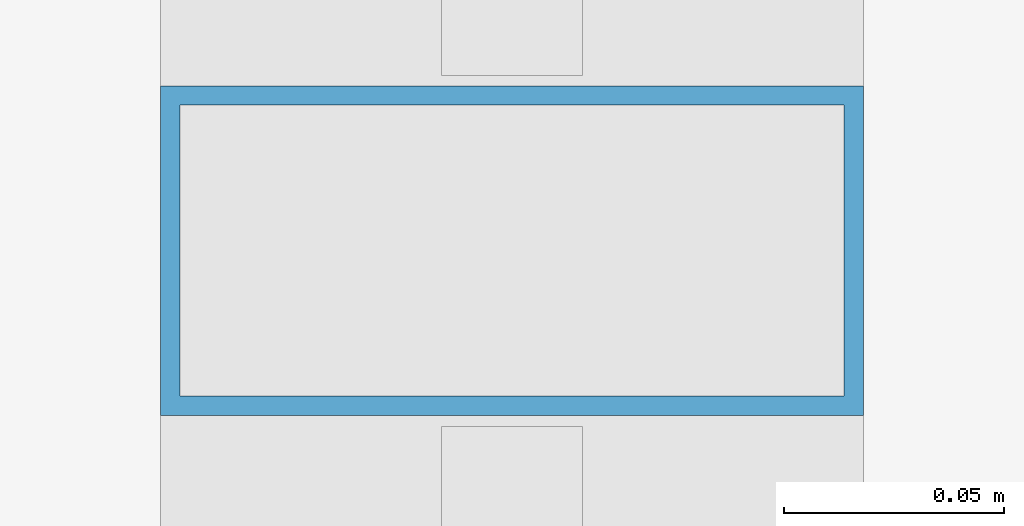
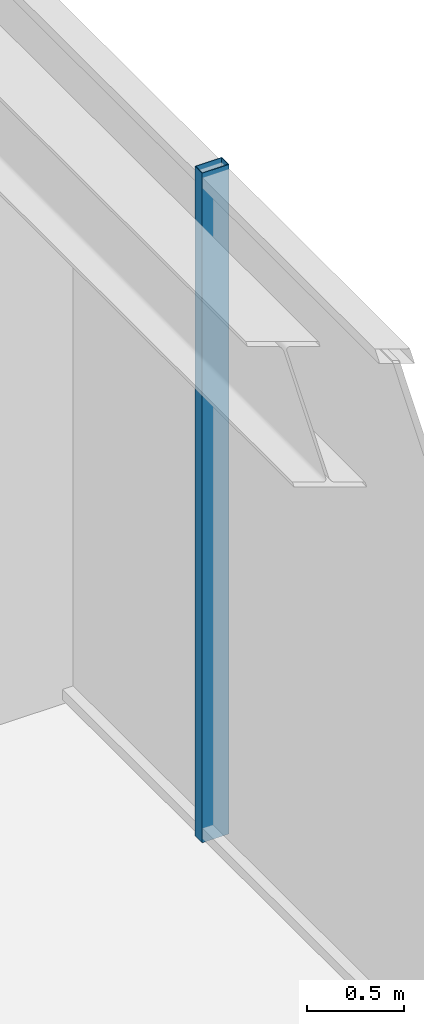
# One storey, part 22 of 47: 1 member, 1 element without a shape of its own.
"""IFC4 building model written with IfcOpenShell, lengths in metres."""

from ifc_helpers import new_model, si_unit, direction, frame, origin, origin_2d, place, context, subcontext, project, spatial, hollow_rectangle, extrude, material, material_profile, profile_set, type_object, element, aggregate, save


model = new_model("IFC4")

# Units and contexts
model_context = context("Model", 3, precision=1e-05, world=origin(), true_north=direction((0.0, 1.0)))
body_context = subcontext(model_context, "Body", "Model", "MODEL_VIEW")
ifc_project = project(units=[si_unit("LENGTHUNIT", "METRE"), si_unit("AREAUNIT", "SQUARE_METRE"), si_unit("VOLUMEUNIT", "CUBIC_METRE"), si_unit("PLANEANGLEUNIT", "RADIAN"), si_unit("MASSUNIT", "GRAM", prefix="KILO")], contexts=[model_context])

# Site, building, storey
site_placement = place(None, origin())
site = spatial("IfcSite", under=ifc_project, at=site_placement, CompositionType="ELEMENT")
building_placement = place(site_placement, origin())
building = spatial("IfcBuilding", under=site, at=building_placement, Name="Kolvaren Belvedere", CompositionType="ELEMENT")
storey_placement = place(building_placement, frame((0.0, 0.0, 5.5)))
storey = spatial("IfcBuildingStorey", under=building, at=storey_placement, Name="L02", CompositionType="ELEMENT", Elevation=5.5)

# Curtain wall, member
ifc_material_1 = material(Name="Anodised pale-metal aluminium AA 6063-T6", Category="aluminium")
curtain_wall_type = type_object("IfcCurtainWallType", Name="CW-POD-A", PredefinedType="NOTDEFINED", material=ifc_material_1)
curtain_wall_placement = place(storey_placement, origin())
curtain_wall = element("IfcCurtainWall", 1, at=curtain_wall_placement, inside=storey, type_object=curtain_wall_type, Name="L02 Unitised Curtain Wall FCW-L02-SEG6", PredefinedType="NOTDEFINED")
ifc_material_2 = material(Name="Anodised pale-metal aluminium AA 6063-T6", Category="aluminium")
ifc_material_profile = material_profile(ifc_material_2, hollow_rectangle(XDim=0.074951171875, YDim=0.159912109375, WallThickness=0.00439453125, at=origin_2d()), Name="ALU-MUL-160X75")
ifc_profile_set = profile_set([ifc_material_profile], Name="Anodised pale-metal aluminium AA 6063-T6")
member_type = type_object("IfcMemberType", Name="CW-MUL-160", PredefinedType="MULLION", material=ifc_profile_set)
member_placement = place(storey_placement, frame((27.8798828125, -14.199951171875, 0.0), z_axis=(0.0, 0.0, 1.0), x_axis=(0.0, 1.0, 0.0)))
member = element("IfcMember", 2, at=member_placement, type_object=member_type, Name="FCW-L02-SEG6 Unitised Mullion 4", PredefinedType="MULLION", context=body_context, shape_type="SweptSolid", body=[
    extrude(hollow_rectangle(XDim=0.074951171875, YDim=0.159912109375, WallThickness=0.00439453125, at=origin_2d()), origin(), (0.0, 0.0, 1.0), 4.219970703125),
])
aggregate(curtain_wall, [member])

save(model, "model.ifc")
